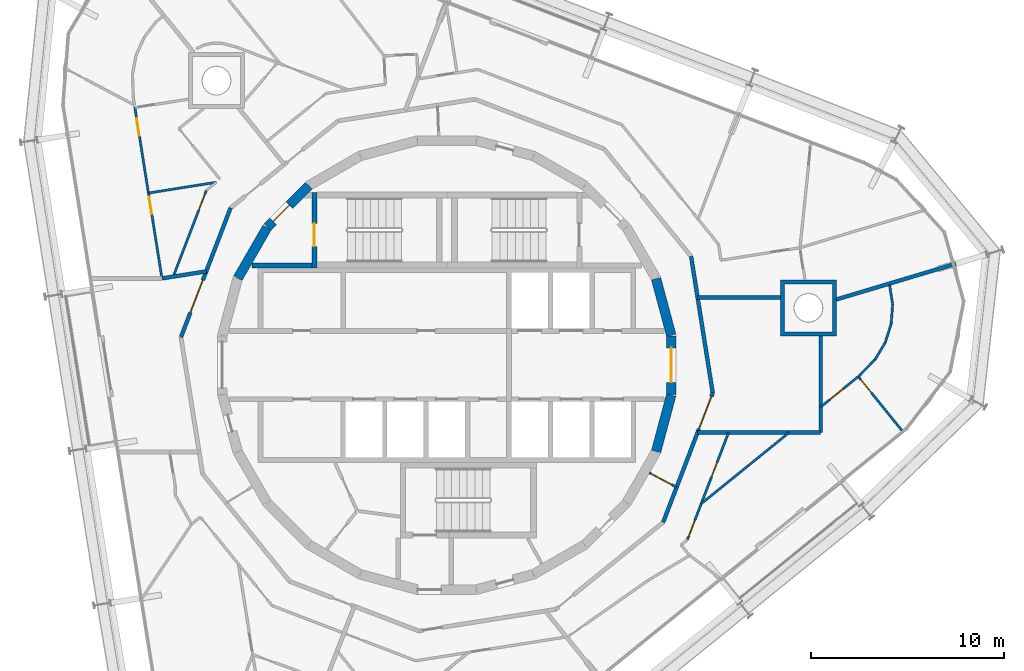
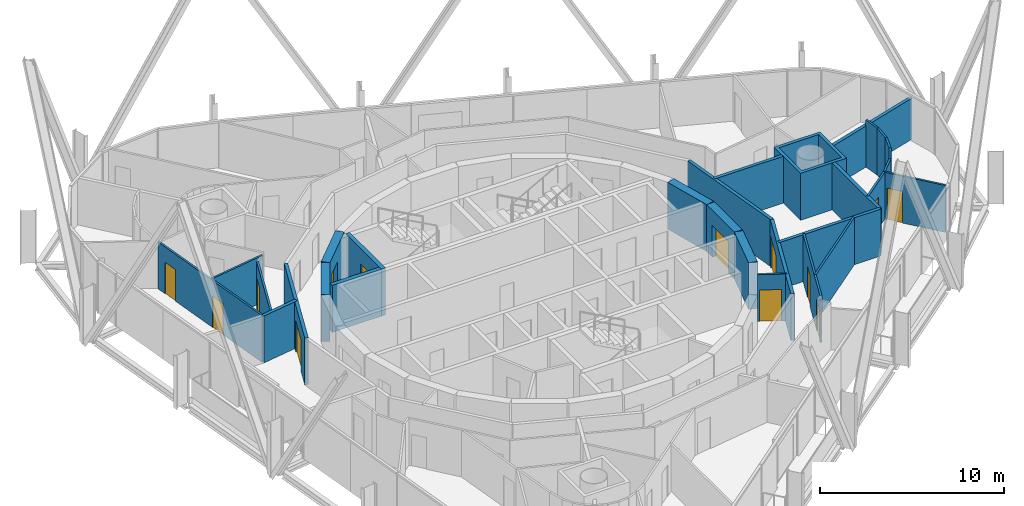
# One storey, part 14 of 18: 30 walls, 13 doors, 13 openings.
"""IFC4 building model written with IfcOpenShell, lengths in metres."""

from ifc_helpers import new_model, si_unit, direction, frame, frame_2d, origin, place, context, subcontext, project, spatial, polyline, rectangle, outline, extrude, material, layer, layer_set, type_object, element, fill, save


model = new_model("IFC4")

# Units and contexts
model_context = context("Model", 3, precision=1e-05, world=origin(), true_north=direction((0.0, 1.0)))
body_context = subcontext(model_context, "Body", "Model", "MODEL_VIEW")
ifc_project = project(units=[si_unit("LENGTHUNIT", "METRE"), si_unit("AREAUNIT", "SQUARE_METRE"), si_unit("VOLUMEUNIT", "CUBIC_METRE"), si_unit("PLANEANGLEUNIT", "RADIAN"), si_unit("MASSUNIT", "GRAM", prefix="KILO")], contexts=[model_context])

# Site, building, storey
site_placement = place(None, origin())
site = spatial("IfcSite", under=ifc_project, at=site_placement, CompositionType="ELEMENT")
building_placement = place(site_placement, origin())
building = spatial("IfcBuilding", under=site, at=building_placement, Name="Spindle Arch Residences", CompositionType="ELEMENT")
storey_placement = place(building_placement, frame((0.0, 0.0, 277.39990234375)))
storey = spatial("IfcBuildingStorey", under=building, at=storey_placement, Name="L71", CompositionType="ELEMENT", Elevation=277.39990234375)

# Wall
ifc_material_1 = material(Name="Concrete C50/60", Category="concrete")
ifc_layer_1 = layer(ifc_material_1, 0.5)
ifc_layer_set_1 = layer_set([ifc_layer_1], Name="Core outline wall 500")
wall_type_1 = type_object("IfcWallType", Name="Core outline wall 500", PredefinedType="SHEAR", material=ifc_layer_set_1)
wall_1_placement = place(storey_placement, frame((10.858154296875, -4.479248046875, 0.0), z_axis=(0.0, 0.0, 1.0), x_axis=(0.258734743916, 0.965948410781, 0.0)))
element("IfcWall", 1, at=wall_1_placement, inside=storey, type_object=wall_type_1, Name="Core outline wall 5", PredefinedType="SHEAR", context=body_context, shape_type="SweptSolid", body=[
    extrude(rectangle(XDim=3.03271484375, YDim=0.5, at=frame_2d((1.516357421875, 0.0))), origin(), (0.0, 0.0, 1.0), 3.1201171875),
])

# Wall, opening, door
wall_2_placement = place(storey_placement, frame((11.647216796875, -1.516357421875, 0.0), z_axis=(0.0, 0.0, 1.0), x_axis=(0.0, 1.0, 0.0)))
wall_2 = element("IfcWall", 2, at=wall_2_placement, inside=storey, type_object=wall_type_1, Name="Core outline wall 6", PredefinedType="SHEAR", context=body_context, shape_type="SweptSolid", body=[
    extrude(rectangle(XDim=3.03271484375, YDim=0.5, at=frame_2d((1.516357421875, 0.0))), origin(), (0.0, 0.0, 1.0), 3.1201171875),
])
opening_1_placement = place(wall_2_placement, frame((0.6162109375, 0.0, 0.0)))
opening_1 = element("IfcOpeningElement", 3, at=opening_1_placement, cuts=wall_2, Name="Opening R7B0-FE01", PredefinedType="OPENING", context=body_context, shape_type="SweptSolid", body=[
    extrude(rectangle(XDim=1.800048828125, YDim=2.10009765625, at=frame_2d((0.89990234375, 1.050048828125))), frame((0.0, 0.260009765625, 0.0), z_axis=(0.0, -1.0, 0.0), x_axis=(1.0, 0.0, 0.0)), (0.0, 0.0, 1.0), 0.52001953125),
])
ifc_material_2 = material(Name="Steel, fire-resisting door", Category="steel")
door_type_1 = type_object("IfcDoorType", Name="Fire-lift lobby door 1800x2100", OperationType="DOUBLE_DOOR_SINGLE_SWING", PredefinedType="DOOR", material=ifc_material_2)
door_1_placement = place(opening_1_placement, origin())
door_1 = element("IfcDoor", 4, at=door_1_placement, inside=storey, type_object=door_type_1, Name="Fire-lift lobby door R7B0-FE01", OperationType="DOUBLE_DOOR_SINGLE_SWING", OverallHeight=2.10009765625, OverallWidth=1.800048828125, PredefinedType="DOOR", context=body_context, shape_type="SweptSolid", body=[
    extrude(rectangle(XDim=1.800048828125, YDim=2.10009765625, at=frame_2d((0.89990234375, 1.050048828125))), frame((0.0, 0.02490234375, 0.0), z_axis=(0.0, -1.0, 0.0), x_axis=(1.0, 0.0, 0.0)), (0.0, 0.0, 1.0), 0.050048828125),
])
fill(opening_1, door_1)

# Wall
wall_3_placement = place(storey_placement, frame((11.642822265625, 1.5498046875, 0.0), z_axis=(0.0, 0.0, 1.0), x_axis=(-0.258734743916, 0.965948410781, 0.0)))
element("IfcWall", 5, at=wall_3_placement, inside=storey, type_object=wall_type_1, Name="Core outline wall 7", PredefinedType="SHEAR", context=body_context, shape_type="SweptSolid", body=[
    extrude(rectangle(XDim=3.03271484375, YDim=0.5, at=frame_2d((1.516357421875, 0.0))), origin(), (0.0, 0.0, 1.0), 3.1201171875),
])

# Wall, opening, door
wall_4_placement = place(storey_placement, frame((-7.163818359375, 9.30810546875, 0.0), z_axis=(0.0, 0.0, 1.0), x_axis=(-0.707106781187, -0.707106781187, 0.0)))
wall_4 = element("IfcWall", 6, at=wall_4_placement, inside=storey, type_object=wall_type_1, Name="Core outline wall 15", PredefinedType="SHEAR", context=body_context, shape_type="SweptSolid", body=[
    extrude(rectangle(XDim=3.032470703125, YDim=0.5, at=frame_2d((1.51611328125, 0.0))), origin(), (0.0, 0.0, 1.0), 3.1201171875),
])
opening_2_placement = place(wall_4_placement, frame((1.416259765625, 0.0, 0.0)))
opening_2 = element("IfcOpeningElement", 7, at=opening_2_placement, cuts=wall_4, Name="Opening R7B0-AD02", PredefinedType="OPENING", context=body_context, shape_type="SweptSolid", body=[
    extrude(rectangle(XDim=1.199951171875, YDim=2.10009765625, at=frame_2d((0.60009765625, 1.050048828125))), frame((0.0, 0.260009765625, 0.0), z_axis=(0.0, -1.0, 0.0), x_axis=(1.0, 0.0, 0.0)), (0.0, 0.0, 1.0), 0.52001953125),
])
ifc_material_3 = material(Name="Steel, fire-resisting door", Category="steel")
door_type_2 = type_object("IfcDoorType", Name="Stair airlock door 1200x2100", OperationType="SINGLE_SWING_LEFT", PredefinedType="DOOR", material=ifc_material_3)
door_2_placement = place(opening_2_placement, origin())
door_2 = element("IfcDoor", 8, at=door_2_placement, inside=storey, type_object=door_type_2, Name="Stair airlock door R7B0-AD02", OperationType="SINGLE_SWING_RIGHT", OverallHeight=2.10009765625, OverallWidth=1.199951171875, PredefinedType="DOOR", context=body_context, shape_type="SweptSolid", body=[
    extrude(rectangle(XDim=1.199951171875, YDim=2.10009765625, at=frame_2d((0.60009765625, 1.050048828125))), frame((0.0, 0.02490234375, 0.0), z_axis=(0.0, -1.0, 0.0), x_axis=(1.0, 0.0, 0.0)), (0.0, 0.0, 1.0), 0.050048828125),
])
fill(opening_2, door_2)

# Wall
wall_5_placement = place(storey_placement, frame((-9.32861328125, 7.13671875, 0.0), z_axis=(0.0, 0.0, 1.0), x_axis=(-0.500087131594, -0.865975092491, 0.0)))
element("IfcWall", 9, at=wall_5_placement, inside=storey, type_object=wall_type_1, Name="Core outline wall 16", PredefinedType="SHEAR", context=body_context, shape_type="SweptSolid", body=[
    extrude(rectangle(XDim=3.03271484375, YDim=0.5, at=frame_2d((1.516357421875, 0.0))), origin(), (0.0, 0.0, 1.0), 3.1201171875),
])

# Wall, opening, door
ifc_material_4 = material(Name="Plasterboard on steel studs", Category="steel")
ifc_layer_2 = layer(ifc_material_4, 0.1201171875)
ifc_layer_set_2 = layer_set([ifc_layer_2], Name="Corridor division wall 120")
wall_type_2 = type_object("IfcWallType", Name="Corridor division wall 120", PredefinedType="PARTITIONING", material=ifc_layer_set_2)
wall_6_placement = place(storey_placement, frame((10.510986328125, -5.5888671875, 0.0), z_axis=(0.0, 0.0, 1.0), x_axis=(0.882983002821, -0.469404960273, 0.0)))
wall_6 = element("IfcWall", 10, at=wall_6_placement, inside=storey, type_object=wall_type_2, Name="Corridor division wall R7B0-W002", PredefinedType="PARTITIONING", context=body_context, shape_type="SweptSolid", body=[
    extrude(rectangle(XDim=1.59619140625, YDim=0.1201171875, at=frame_2d((0.798095703125, 0.0))), origin(), (0.0, 0.0, 1.0), 3.1201171875),
])
opening_3_placement = place(wall_6_placement, frame((0.10009765625, 0.0, 0.0)))
opening_3 = element("IfcOpeningElement", 11, at=opening_3_placement, cuts=wall_6, Name="Opening R7B0-CD02", PredefinedType="OPENING", context=body_context, shape_type="SweptSolid", body=[
    extrude(rectangle(XDim=1.199951171875, YDim=2.10009765625, at=frame_2d((0.60009765625, 1.050048828125))), frame((0.0, 0.070068359375, 0.0), z_axis=(0.0, -1.0, 0.0), x_axis=(1.0, 0.0, 0.0)), (0.0, 0.0, 1.0), 0.14013671875),
])
ifc_material_5 = material(Name="Steel, fire-resisting door", Category="steel")
door_type_3 = type_object("IfcDoorType", Name="Corridor division door 1200x2100", OperationType="NOTDEFINED", PredefinedType="DOOR", material=ifc_material_5)
door_3_placement = place(opening_3_placement, origin())
door_3 = element("IfcDoor", 12, at=door_3_placement, inside=storey, type_object=door_type_3, Name="Corridor division door R7B0-CD02", OperationType="DOUBLE_DOOR_SINGLE_SWING", OverallHeight=2.10009765625, OverallWidth=1.199951171875, PredefinedType="DOOR", context=body_context, shape_type="SweptSolid", body=[
    extrude(rectangle(XDim=1.199951171875, YDim=2.10009765625, at=frame_2d((0.60009765625, 1.050048828125))), frame((0.0, 0.02490234375, 0.0), z_axis=(0.0, -1.0, 0.0), x_axis=(1.0, 0.0, 0.0)), (0.0, 0.0, 1.0), 0.050048828125),
])
fill(opening_3, door_3)

ifc_material_6 = material(Name="Calcium silicate block, plastered")
ifc_layer_3 = layer(ifc_material_6, 0.199951171875)
ifc_layer_set_3 = layer_set([ifc_layer_3], Name="Fire-lift lobby bay wall 200")
wall_type_3 = type_object("IfcWallType", Name="Fire-lift lobby bay wall 200", PredefinedType="STANDARD", material=ifc_layer_set_3)
wall_7_placement = place(storey_placement, frame((11.223388671875, -8.154296875, 0.0), z_axis=(0.0, 0.0, 1.0), x_axis=(0.358341090983, 0.93359073609, 0.0)))
wall_7 = element("IfcWall", 13, at=wall_7_placement, inside=storey, type_object=wall_type_3, Name="Fire-lift lobby bay wall R7B0-W004", PredefinedType="STANDARD", context=body_context, shape_type="SweptSolid", body=[
    extrude(rectangle(XDim=7.180908203125, YDim=0.199951171875, at=frame_2d((3.59033203125, 0.0))), origin(), (0.0, 0.0, 1.0), 3.1201171875),
])
opening_4_placement = place(wall_7_placement, frame((5.185302734375, 0.0, 0.0)))
opening_4 = element("IfcOpeningElement", 14, at=opening_4_placement, cuts=wall_7, Name="Opening R7B0-FB01", PredefinedType="OPENING", context=body_context, shape_type="SweptSolid", body=[
    extrude(rectangle(XDim=1.800048828125, YDim=2.10009765625, at=frame_2d((0.89990234375, 1.050048828125))), frame((0.0, 0.10986328125, 0.0), z_axis=(0.0, -1.0, 0.0), x_axis=(1.0, 0.0, 0.0)), (0.0, 0.0, 1.0), 0.219970703125),
])
ifc_material_7 = material(Name="Steel, fire-resisting door", Category="steel")
door_type_4 = type_object("IfcDoorType", Name="Fire-lift lobby bay door 1800x2100", OperationType="NOTDEFINED", PredefinedType="DOOR", material=ifc_material_7)
door_4_placement = place(opening_4_placement, origin())
door_4 = element("IfcDoor", 15, at=door_4_placement, inside=storey, type_object=door_type_4, Name="Fire-lift lobby bay door R7B0-FB01", OperationType="DOUBLE_DOOR_SINGLE_SWING", OverallHeight=2.10009765625, OverallWidth=1.800048828125, PredefinedType="DOOR", context=body_context, shape_type="SweptSolid", body=[
    extrude(rectangle(XDim=1.800048828125, YDim=2.10009765625, at=frame_2d((0.89990234375, 1.050048828125))), frame((0.0, 0.02490234375, 0.0), z_axis=(0.0, -1.0, 0.0), x_axis=(1.0, 0.0, 0.0)), (0.0, 0.0, 1.0), 0.050048828125),
])
fill(opening_4, door_4)

# Walls
wall_8_placement = place(storey_placement, frame((13.796630859375, -1.4501953125, 0.0), z_axis=(0.0, 0.0, 1.0), x_axis=(-0.156421704315, 0.987690361611, 0.0)))
element("IfcWall", 16, at=wall_8_placement, inside=storey, type_object=wall_type_3, Name="Fire-lift lobby bay wall R7B0-W005", PredefinedType="STANDARD", context=body_context, shape_type="SweptSolid", body=[
    extrude(rectangle(XDim=7.18115234375, YDim=0.199951171875, at=frame_2d((3.590576171875, 0.0))), origin(), (0.0, 0.0, 1.0), 3.1201171875),
])
wall_9_placement = place(storey_placement, frame((17.309326171875, 3.5, 0.0), z_axis=(0.0, 0.0, 1.0), x_axis=(-1.0, 0.0, 0.0)))
element("IfcWall", 17, at=wall_9_placement, inside=storey, type_object=wall_type_3, Name="Fire-lift lobby bay wall R7B0-W019", PredefinedType="STANDARD", context=body_context, shape_type="SweptSolid", body=[
    extrude(rectangle(XDim=4.296630859375, YDim=0.199951171875, at=frame_2d((2.1484375, 0.0))), origin(), (0.0, 0.0, 1.0), 3.1201171875),
])
wall_10_placement = place(storey_placement, frame((13.009765625, -3.5, 0.0), z_axis=(0.0, 0.0, 1.0), x_axis=(1.0, 0.0, 0.0)))
element("IfcWall", 18, at=wall_10_placement, inside=storey, type_object=wall_type_3, Name="Fire-lift lobby bay wall R7B0-W020", PredefinedType="STANDARD", context=body_context, shape_type="SweptSolid", body=[
    extrude(rectangle(XDim=4.75, YDim=0.199951171875, at=frame_2d((2.375, 0.0))), origin(), (0.0, 0.0, 1.0), 3.1201171875),
])
wall_11_placement = place(storey_placement, frame((19.39990234375, -3.5, 0.0), z_axis=(0.0, 0.0, 1.0), x_axis=(0.0, 1.0, 0.0)))
element("IfcWall", 19, at=wall_11_placement, inside=storey, type_object=wall_type_3, Name="Fire-lift lobby bay wall R7B0-W021", PredefinedType="STANDARD", context=body_context, shape_type="SweptSolid", body=[
    extrude(rectangle(XDim=5.021240234375, YDim=0.199951171875, at=frame_2d((2.5107421875, 0.0))), origin(), (0.0, 0.0, 1.0), 3.1201171875),
])
wall_12_placement = place(storey_placement, frame((17.759765625, -3.5, 0.0), z_axis=(0.0, 0.0, 1.0), x_axis=(1.0, 0.0, 0.0)))
element("IfcWall", 20, at=wall_12_placement, inside=storey, type_object=wall_type_3, Name="Fire-lift lobby bay wall R7B0-W022", PredefinedType="STANDARD", context=body_context, shape_type="SweptSolid", body=[
    extrude(rectangle(XDim=1.64013671875, YDim=0.199951171875, at=frame_2d((0.820068359375, 0.0))), origin(), (0.0, 0.0, 1.0), 3.1201171875),
])

# Wall, opening, door
ifc_material_8 = material(Name="Plasterboard on steel studs", Category="steel")
ifc_layer_4 = layer(ifc_material_8, 0.1201171875)
ifc_layer_set_4 = layer_set([ifc_layer_4], Name="Flat partition 120")
wall_type_4 = type_object("IfcWallType", Name="Flat partition 120", PredefinedType="PARTITIONING", material=ifc_layer_set_4)
wall_13_placement = place(storey_placement, frame((-12.4794921875, 9.06689453125, 0.0), z_axis=(0.0, 0.0, 1.0), x_axis=(-0.358402229057, -0.933567267104, 0.0)))
wall_13 = element("IfcWall", 21, at=wall_13_placement, inside=storey, type_object=wall_type_4, Name="Flat partition R7B0-W057", PredefinedType="PARTITIONING", context=body_context, shape_type="SweptSolid", body=[
    extrude(rectangle(XDim=4.79345703125, YDim=0.1201171875, at=frame_2d((2.396728515625, 0.0))), origin(), (0.0, 0.0, 1.0), 3.1201171875),
])
opening_5_placement = place(wall_13_placement, frame((0.199951171875, 0.0, 0.0)))
opening_5 = element("IfcOpeningElement", 22, at=opening_5_placement, cuts=wall_13, Name="Opening R7B0-ID11", PredefinedType="OPENING", context=body_context, shape_type="SweptSolid", body=[
    extrude(rectangle(XDim=0.89990234375, YDim=2.10009765625, at=frame_2d((0.449951171875, 1.050048828125))), frame((0.0, 0.070068359375, 0.0), z_axis=(0.0, -1.0, 0.0), x_axis=(1.0, 0.0, 0.0)), (0.0, 0.0, 1.0), 0.14013671875),
])
ifc_material_9 = material(Name="Timber door set", Category="wood")
door_type_5 = type_object("IfcDoorType", Name="Room door 900x2100", OperationType="NOTDEFINED", PredefinedType="DOOR", material=ifc_material_9)
door_5_placement = place(opening_5_placement, origin())
door_5 = element("IfcDoor", 23, at=door_5_placement, inside=storey, type_object=door_type_5, Name="Room door R7B0-ID11", OperationType="SINGLE_SWING_LEFT", OverallHeight=2.10009765625, OverallWidth=0.89990234375, PredefinedType="DOOR", context=body_context, shape_type="SweptSolid", body=[
    extrude(rectangle(XDim=0.89990234375, YDim=2.10009765625, at=frame_2d((0.449951171875, 1.050048828125))), frame((0.0, 0.02490234375, 0.0), z_axis=(0.0, -1.0, 0.0), x_axis=(1.0, 0.0, 0.0)), (0.0, 0.0, 1.0), 0.050048828125),
])
fill(opening_5, door_5)

# Wall, openings, doors
wall_14_placement = place(storey_placement, frame((-16.19189453125, 13.39892578125, 0.0), z_axis=(0.0, 0.0, 1.0), x_axis=(0.156405047803, -0.987692999379, 0.0)))
wall_14 = element("IfcWall", 24, at=wall_14_placement, inside=storey, type_object=wall_type_4, Name="Flat partition R7B0-W066", PredefinedType="PARTITIONING", context=body_context, shape_type="SweptSolid", body=[
    extrude(rectangle(XDim=9.009765625, YDim=0.1201171875, at=frame_2d((4.5048828125, 0.0))), origin(), (0.0, 0.0, 1.0), 3.1201171875),
])
opening_6_placement = place(wall_14_placement, frame((0.60009765625, 0.0, 0.0)))
opening_6 = element("IfcOpeningElement", 25, at=opening_6_placement, cuts=wall_14, Name="Opening R7B0-ID12", PredefinedType="OPENING", context=body_context, shape_type="SweptSolid", body=[
    extrude(rectangle(XDim=0.89990234375, YDim=2.10009765625, at=frame_2d((0.449951171875, 1.050048828125))), frame((0.0, 0.070068359375, 0.0), z_axis=(0.0, -1.0, 0.0), x_axis=(1.0, 0.0, 0.0)), (0.0, 0.0, 1.0), 0.14013671875),
])
opening_7_placement = place(wall_14_placement, frame((4.725341796875, 0.0, 0.0)))
opening_7 = element("IfcOpeningElement", 26, at=opening_7_placement, cuts=wall_14, Name="Opening R7B0-ID14", PredefinedType="OPENING", context=body_context, shape_type="SweptSolid", body=[
    extrude(rectangle(XDim=0.89990234375, YDim=2.10009765625, at=frame_2d((0.449951171875, 1.050048828125))), frame((0.0, 0.070068359375, 0.0), z_axis=(0.0, -1.0, 0.0), x_axis=(1.0, 0.0, 0.0)), (0.0, 0.0, 1.0), 0.14013671875),
])
door_6_placement = place(opening_6_placement, origin())
door_6 = element("IfcDoor", 27, at=door_6_placement, inside=storey, type_object=door_type_5, Name="Room door R7B0-ID12", OperationType="SINGLE_SWING_LEFT", OverallHeight=2.10009765625, OverallWidth=0.89990234375, PredefinedType="DOOR", context=body_context, shape_type="SweptSolid", body=[
    extrude(rectangle(XDim=0.89990234375, YDim=2.10009765625, at=frame_2d((0.449951171875, 1.050048828125))), frame((0.0, 0.02490234375, 0.0), z_axis=(0.0, -1.0, 0.0), x_axis=(1.0, 0.0, 0.0)), (0.0, 0.0, 1.0), 0.050048828125),
])
fill(opening_6, door_6)
door_7_placement = place(opening_7_placement, origin())
door_7 = element("IfcDoor", 28, at=door_7_placement, inside=storey, type_object=door_type_5, Name="Room door R7B0-ID14", OperationType="SINGLE_SWING_RIGHT", OverallHeight=2.10009765625, OverallWidth=0.89990234375, PredefinedType="DOOR", context=body_context, shape_type="SweptSolid", body=[
    extrude(rectangle(XDim=0.89990234375, YDim=2.10009765625, at=frame_2d((0.449951171875, 1.050048828125))), frame((0.0, 0.02490234375, 0.0), z_axis=(0.0, -1.0, 0.0), x_axis=(1.0, 0.0, 0.0)), (0.0, 0.0, 1.0), 0.050048828125),
])
fill(opening_7, door_7)

# Wall
wall_15_placement = place(storey_placement, frame((-15.484130859375, 8.92919921875, 0.0), z_axis=(0.0, 0.0, 1.0), x_axis=(0.987689619983, 0.156426387092, 0.0)))
element("IfcWall", 29, at=wall_15_placement, inside=storey, type_object=wall_type_4, Name="Flat partition R7B0-W067", PredefinedType="PARTITIONING", context=body_context, shape_type="SweptSolid", body=[
    extrude(rectangle(XDim=3.56787109375, YDim=0.1201171875, at=frame_2d((1.783935546875, 0.0))), origin(), (0.0, 0.0, 1.0), 3.1201171875),
])

# Wall, openings, doors
wall_16_placement = place(storey_placement, frame((12.4794921875, -9.06689453125, 0.0), z_axis=(0.0, 0.0, 1.0), x_axis=(0.358372669661, 0.933578614601, 0.0)))
wall_16 = element("IfcWall", 30, at=wall_16_placement, inside=storey, type_object=wall_type_4, Name="Flat partition R7B0-W096", PredefinedType="PARTITIONING", context=body_context, shape_type="SweptSolid", body=[
    extrude(rectangle(XDim=5.962890625, YDim=0.1201171875, at=frame_2d((2.9814453125, 0.0))), origin(), (0.0, 0.0, 1.0), 3.1201171875),
])
opening_8_placement = place(wall_16_placement, frame((0.199951171875, 0.0, 0.0)))
opening_8 = element("IfcOpeningElement", 31, at=opening_8_placement, cuts=wall_16, Name="Opening R7B0-ID26", PredefinedType="OPENING", context=body_context, shape_type="SweptSolid", body=[
    extrude(rectangle(XDim=0.89990234375, YDim=2.10009765625, at=frame_2d((0.449951171875, 1.050048828125))), frame((0.0, 0.070068359375, 0.0), z_axis=(0.0, -1.0, 0.0), x_axis=(1.0, 0.0, 0.0)), (0.0, 0.0, 1.0), 0.14013671875),
])
opening_9_placement = place(wall_16_placement, frame((3.506591796875, 0.0, 0.0)))
opening_9 = element("IfcOpeningElement", 32, at=opening_9_placement, cuts=wall_16, Name="Opening R7B0-BD06", PredefinedType="OPENING", context=body_context, shape_type="SweptSolid", body=[
    extrude(rectangle(XDim=0.800048828125, YDim=2.10009765625, at=frame_2d((0.39990234375, 1.050048828125))), frame((0.0, 0.070068359375, 0.0), z_axis=(0.0, -1.0, 0.0), x_axis=(1.0, 0.0, 0.0)), (0.0, 0.0, 1.0), 0.14013671875),
])
ifc_material_10 = material(Name="Timber door set", Category="wood")
door_type_6 = type_object("IfcDoorType", Name="Bathroom door 800x2100", OperationType="NOTDEFINED", PredefinedType="DOOR", material=ifc_material_10)
door_8_placement = place(opening_9_placement, origin())
door_8 = element("IfcDoor", 33, at=door_8_placement, inside=storey, type_object=door_type_6, Name="Bathroom door R7B0-BD06", OperationType="SINGLE_SWING_RIGHT", OverallHeight=2.10009765625, OverallWidth=0.800048828125, PredefinedType="DOOR", context=body_context, shape_type="SweptSolid", body=[
    extrude(rectangle(XDim=0.800048828125, YDim=2.10009765625, at=frame_2d((0.39990234375, 1.050048828125))), frame((0.0, 0.02490234375, 0.0), z_axis=(0.0, -1.0, 0.0), x_axis=(1.0, 0.0, 0.0)), (0.0, 0.0, 1.0), 0.050048828125),
])
fill(opening_9, door_8)
door_9_placement = place(opening_8_placement, origin())
door_9 = element("IfcDoor", 34, at=door_9_placement, inside=storey, type_object=door_type_5, Name="Room door R7B0-ID26", OperationType="SINGLE_SWING_RIGHT", OverallHeight=2.10009765625, OverallWidth=0.89990234375, PredefinedType="DOOR", context=body_context, shape_type="SweptSolid", body=[
    extrude(rectangle(XDim=0.89990234375, YDim=2.10009765625, at=frame_2d((0.449951171875, 1.050048828125))), frame((0.0, 0.02490234375, 0.0), z_axis=(0.0, -1.0, 0.0), x_axis=(1.0, 0.0, 0.0)), (0.0, 0.0, 1.0), 0.050048828125),
])
fill(opening_8, door_9)

# Walls
wall_17_placement = place(storey_placement, frame((22.972412109375, 4.15283203125, 0.0), z_axis=(0.0, 0.0, 1.0), x_axis=(0.156209385929, -0.987723963336, 0.0)))
element("IfcWall", 35, at=wall_17_placement, inside=storey, type_object=wall_type_4, Name="Flat partition R7B0-W097", PredefinedType="PARTITIONING", context=body_context, shape_type="SweptSolid", body=[
    extrude(rectangle(XDim=1.015869140625, YDim=0.1201171875, at=frame_2d((0.5078125, 0.0))), origin(), (0.0, 0.0, 1.0), 3.1201171875),
])
wall_18_placement = place(storey_placement, frame((23.131103515625, 3.1494140625, 0.0), z_axis=(0.0, 0.0, 1.0), x_axis=(-0.075446997935, -0.99714981347, 0.0)))
element("IfcWall", 36, at=wall_18_placement, inside=storey, type_object=wall_type_4, Name="Flat partition R7B0-W098", PredefinedType="PARTITIONING", context=body_context, shape_type="SweptSolid", body=[
    extrude(rectangle(XDim=1.01611328125, YDim=0.1201171875, at=frame_2d((0.508056640625, 0.0))), origin(), (0.0, 0.0, 1.0), 3.1201171875),
])
wall_19_placement = place(storey_placement, frame((23.054443359375, 2.13623046875, 0.0), z_axis=(0.0, 0.0, 1.0), x_axis=(-0.303511129679, -0.952827893253, 0.0)))
element("IfcWall", 37, at=wall_19_placement, inside=storey, type_object=wall_type_4, Name="Flat partition R7B0-W099", PredefinedType="PARTITIONING", context=body_context, shape_type="SweptSolid", body=[
    extrude(rectangle(XDim=1.015869140625, YDim=0.1201171875, at=frame_2d((0.5078125, 0.0))), origin(), (0.0, 0.0, 1.0), 3.1201171875),
])
wall_20_placement = place(storey_placement, frame((22.74609375, 1.168212890625, 0.0), z_axis=(0.0, 0.0, 1.0), x_axis=(-0.515096534995, -0.857132171626, 0.0)))
element("IfcWall", 38, at=wall_20_placement, inside=storey, type_object=wall_type_4, Name="Flat partition R7B0-W100", PredefinedType="PARTITIONING", context=body_context, shape_type="SweptSolid", body=[
    extrude(rectangle(XDim=1.015625, YDim=0.1201171875, at=frame_2d((0.5078125, 0.0))), origin(), (0.0, 0.0, 1.0), 3.1201171875),
])
wall_21_placement = place(storey_placement, frame((22.222900390625, 0.297607421875, 0.0), z_axis=(0.0, 0.0, 1.0), x_axis=(-0.69880109182, -0.715316037896, 0.0)))
element("IfcWall", 39, at=wall_21_placement, inside=storey, type_object=wall_type_4, Name="Flat partition R7B0-W101", PredefinedType="PARTITIONING", context=body_context, shape_type="SweptSolid", body=[
    extrude(rectangle(XDim=1.22705078125, YDim=0.1201171875, at=frame_2d((0.613525390625, 0.0))), origin(), (0.0, 0.0, 1.0), 3.1201171875),
])

# Wall, opening, door
wall_22_placement = place(storey_placement, frame((21.346923828125, -0.59521484375, 0.0), z_axis=(0.0, 0.0, 1.0), x_axis=(0.62934843781, -0.7771232488, 0.0)))
wall_22 = element("IfcWall", 40, at=wall_22_placement, inside=storey, type_object=wall_type_4, Name="Flat partition R7B0-W102", PredefinedType="PARTITIONING", context=body_context, shape_type="SweptSolid", body=[
    extrude(rectangle(XDim=3.599853515625, YDim=0.1201171875, at=frame_2d((1.7998046875, 0.0))), origin(), (0.0, 0.0, 1.0), 3.1201171875),
])
opening_10_placement = place(wall_22_placement, frame((0.199951171875, 0.0, 0.0)))
opening_10 = element("IfcOpeningElement", 41, at=opening_10_placement, cuts=wall_22, Name="Opening R7B0-ID27", PredefinedType="OPENING", context=body_context, shape_type="SweptSolid", body=[
    extrude(rectangle(XDim=0.89990234375, YDim=2.10009765625, at=frame_2d((0.449951171875, 1.050048828125))), frame((0.0, 0.070068359375, 0.0), z_axis=(0.0, -1.0, 0.0), x_axis=(1.0, 0.0, 0.0)), (0.0, 0.0, 1.0), 0.14013671875),
])
door_10_placement = place(opening_10_placement, origin())
door_10 = element("IfcDoor", 42, at=door_10_placement, inside=storey, type_object=door_type_5, Name="Room door R7B0-ID27", OperationType="SINGLE_SWING_RIGHT", OverallHeight=2.10009765625, OverallWidth=0.89990234375, PredefinedType="DOOR", context=body_context, shape_type="SweptSolid", body=[
    extrude(rectangle(XDim=0.89990234375, YDim=2.10009765625, at=frame_2d((0.449951171875, 1.050048828125))), frame((0.0, 0.02490234375, 0.0), z_axis=(0.0, -1.0, 0.0), x_axis=(1.0, 0.0, 0.0)), (0.0, 0.0, 1.0), 0.050048828125),
])
fill(opening_10, door_10)

wall_23_placement = place(storey_placement, frame((19.39990234375, -2.171875, 0.0), z_axis=(0.0, 0.0, 1.0), x_axis=(0.777147279935, 0.629318762862, 0.0)))
wall_23 = element("IfcWall", 43, at=wall_23_placement, inside=storey, type_object=wall_type_4, Name="Flat partition R7B0-W103", PredefinedType="PARTITIONING", context=body_context, shape_type="SweptSolid", body=[
    extrude(rectangle(XDim=2.50537109375, YDim=0.1201171875, at=frame_2d((1.252685546875, 0.0))), origin(), (0.0, 0.0, 1.0), 3.1201171875),
])
opening_11_placement = place(wall_23_placement, frame((0.60009765625, 0.0, 0.0)))
opening_11 = element("IfcOpeningElement", 44, at=opening_11_placement, cuts=wall_23, Name="Opening R7B0-ID28", PredefinedType="OPENING", context=body_context, shape_type="SweptSolid", body=[
    extrude(rectangle(XDim=0.89990234375, YDim=2.10009765625, at=frame_2d((0.449951171875, 1.050048828125))), frame((0.0, 0.070068359375, 0.0), z_axis=(0.0, -1.0, 0.0), x_axis=(1.0, 0.0, 0.0)), (0.0, 0.0, 1.0), 0.14013671875),
])
door_11_placement = place(opening_11_placement, origin())
door_11 = element("IfcDoor", 45, at=door_11_placement, inside=storey, type_object=door_type_5, Name="Room door R7B0-ID28", OperationType="SINGLE_SWING_LEFT", OverallHeight=2.10009765625, OverallWidth=0.89990234375, PredefinedType="DOOR", context=body_context, shape_type="SweptSolid", body=[
    extrude(rectangle(XDim=0.89990234375, YDim=2.10009765625, at=frame_2d((0.449951171875, 1.050048828125))), frame((0.0, 0.02490234375, 0.0), z_axis=(0.0, -1.0, 0.0), x_axis=(1.0, 0.0, 0.0)), (0.0, 0.0, 1.0), 0.050048828125),
])
fill(opening_11, door_11)

# Walls
wall_24_placement = place(storey_placement, frame((17.759765625, -3.5, 0.0), z_axis=(0.0, 0.0, 1.0), x_axis=(-0.777133455716, -0.62933583404, 0.0)))
element("IfcWall", 46, at=wall_24_placement, inside=storey, type_object=wall_type_4, Name="Flat partition R7B0-W105", PredefinedType="PARTITIONING", context=body_context, shape_type="SweptSolid", body=[
    extrude(rectangle(XDim=5.869140625, YDim=0.1201171875, at=frame_2d((2.9345703125, 0.0))), origin(), (0.0, 0.0, 1.0), 3.1201171875),
])
ifc_material_11 = material(Name="Calcium silicate block, plastered")
ifc_layer_5 = layer(ifc_material_11, 0.199951171875)
ifc_layer_set_5 = layer_set([ifc_layer_5], Name="Flat party wall 200 under beam 2730")
wall_type_5 = type_object("IfcWallType", Name="Flat party wall 200 under beam 2730", PredefinedType="STANDARD", material=ifc_layer_set_5)
wall_25_placement = place(storey_placement, frame((20.20947265625, 3.4052734375, 0.0), z_axis=(0.0, 0.0, 1.0), x_axis=(0.957991224208, 0.286797514529, 0.0)))
element("IfcWall", 47, at=wall_25_placement, inside=storey, type_object=wall_type_5, Name="Flat party wall R7B0-W024", PredefinedType="STANDARD", context=body_context, shape_type="SweptSolid", body=[
    extrude(rectangle(XDim=6.471435546875, YDim=0.199951171875, at=frame_2d((3.23583984375, 0.0))), origin(), (0.0, 0.0, 1.0), 2.72998046875),
])

# Wall, opening, door
ifc_material_12 = material(Name="Calcium silicate block, plastered")
ifc_layer_6 = layer(ifc_material_12, 0.199951171875)
ifc_layer_set_6 = layer_set([ifc_layer_6], Name="Lift lobby bay wall 200")
wall_type_6 = type_object("IfcWallType", Name="Lift lobby bay wall 200", PredefinedType="STANDARD", material=ifc_layer_set_6)
wall_26_placement = place(storey_placement, frame((-11.223388671875, 8.154296875, 0.0), z_axis=(0.0, 0.0, 1.0), x_axis=(-0.358341090983, -0.93359073609, 0.0)))
wall_26 = element("IfcWall", 48, at=wall_26_placement, inside=storey, type_object=wall_type_6, Name="Lift lobby bay wall R7B0-W009", PredefinedType="STANDARD", context=body_context, shape_type="SweptSolid", body=[
    extrude(rectangle(XDim=7.180908203125, YDim=0.199951171875, at=frame_2d((3.59033203125, 0.0))), origin(), (0.0, 0.0, 1.0), 3.1201171875),
])
opening_12_placement = place(wall_26_placement, frame((4.01416015625, 0.0, 0.0)))
opening_12 = element("IfcOpeningElement", 49, at=opening_12_placement, cuts=wall_26, Name="Opening R7B0-LB01", PredefinedType="OPENING", context=body_context, shape_type="SweptSolid", body=[
    extrude(rectangle(XDim=1.800048828125, YDim=2.10009765625, at=frame_2d((0.89990234375, 1.050048828125))), frame((0.0, 0.10986328125, 0.0), z_axis=(0.0, -1.0, 0.0), x_axis=(1.0, 0.0, 0.0)), (0.0, 0.0, 1.0), 0.219970703125),
])
ifc_material_13 = material(Name="Steel, fire-resisting door", Category="steel")
door_type_7 = type_object("IfcDoorType", Name="Lift lobby bay door 1800x2100", OperationType="NOTDEFINED", PredefinedType="DOOR", material=ifc_material_13)
door_12_placement = place(opening_12_placement, origin())
door_12 = element("IfcDoor", 50, at=door_12_placement, inside=storey, type_object=door_type_7, Name="Lift lobby bay door R7B0-LB01", OperationType="DOUBLE_DOOR_SINGLE_SWING", OverallHeight=2.10009765625, OverallWidth=1.800048828125, PredefinedType="DOOR", context=body_context, shape_type="SweptSolid", body=[
    extrude(rectangle(XDim=1.800048828125, YDim=2.10009765625, at=frame_2d((0.89990234375, 1.050048828125))), frame((0.0, 0.02490234375, 0.0), z_axis=(0.0, -1.0, 0.0), x_axis=(1.0, 0.0, 0.0)), (0.0, 0.0, 1.0), 0.050048828125),
])
fill(opening_12, door_12)

# Walls
wall_27_placement = place(storey_placement, frame((-12.48681640625, 4.86279296875, 0.0), z_axis=(0.0, 0.0, 1.0), x_axis=(-0.98769031179, -0.156422018898, 0.0)))
element("IfcWall", 51, at=wall_27_placement, inside=storey, type_object=wall_type_6, Name="Lift lobby bay wall R7B0-W016", PredefinedType="STANDARD", context=body_context, shape_type="SweptSolid", body=[
    extrude(rectangle(XDim=2.3193359375, YDim=0.199951171875, at=frame_2d((1.15966796875, 0.0))), origin(), (0.0, 0.0, 1.0), 3.1201171875),
])
ifc_material_14 = material(Name="Calcium silicate block, plastered")
ifc_layer_7 = layer(ifc_material_14, 0.199951171875)
ifc_layer_set_7 = layer_set([ifc_layer_7], Name="Mega-column casing wall 200")
wall_type_7 = type_object("IfcWallType", Name="Mega-column casing wall 200", PredefinedType="STANDARD", material=ifc_layer_set_7)
wall_28_placement = place(storey_placement, origin())
element("IfcWall", 52, at=wall_28_placement, inside=storey, type_object=wall_type_7, Name="Mega-column casing wall R7B0-WC01", PredefinedType="STANDARD", context=body_context, shape_type="SweptSolid", body=[
    extrude(outline(polyline([(20.20947265625, 4.421142578125), (20.20947265625, 1.521240234375), (17.309326171875, 1.521240234375), (17.309326171875, 4.421142578125), (20.20947265625, 4.421142578125)]), holes=[polyline([(17.509521484375, 1.72119140625), (20.009521484375, 1.72119140625), (20.009521484375, 4.22119140625), (17.509521484375, 4.22119140625), (17.509521484375, 1.72119140625)])]), origin(), (0.0, 0.0, 1.0), 3.1201171875),
])
ifc_material_15 = material(Name="Concrete C40/50", Category="concrete")
ifc_layer_8 = layer(ifc_material_15, 0.25)
ifc_layer_set_8 = layer_set([ifc_layer_8], Name="Stair airlock wall 250")
wall_type_8 = type_object("IfcWallType", Name="Stair airlock wall 250", PredefinedType="SHEAR", material=ifc_layer_set_8)
wall_29_placement = place(storey_placement, frame((-7.0, 5.175048828125, 0.0), z_axis=(0.0, 0.0, 1.0), x_axis=(-1.0, 0.0, 0.0)))
element("IfcWall", 53, at=wall_29_placement, inside=storey, type_object=wall_type_8, Name="Stair ST-2 airlock wall S", PredefinedType="SHEAR", context=body_context, shape_type="SweptSolid", body=[
    extrude(rectangle(XDim=3.10009765625, YDim=0.25, at=frame_2d((1.550048828125, 0.0))), origin(), (0.0, 0.0, 1.0), 3.1201171875),
])

# Wall, opening, door
ifc_material_16 = material(Name="Concrete C50/60", Category="concrete")
ifc_layer_9 = layer(ifc_material_16, 0.25)
ifc_layer_set_9 = layer_set([ifc_layer_9], Name="Stair enclosure wall 250")
wall_type_9 = type_object("IfcWallType", Name="Stair enclosure wall 250", PredefinedType="SHEAR", material=ifc_layer_set_9)
wall_30_placement = place(storey_placement, frame((-6.875, 8.969970703125, 0.0), z_axis=(0.0, 0.0, 1.0), x_axis=(0.0, -1.0, 0.0)))
wall_30 = element("IfcWall", 54, at=wall_30_placement, inside=storey, type_object=wall_type_9, Name="Stair ST-2 door wall", PredefinedType="SHEAR", context=body_context, shape_type="SweptSolid", body=[
    extrude(rectangle(XDim=3.919921875, YDim=0.25, at=frame_2d((1.9599609375, 0.0))), origin(), (0.0, 0.0, 1.0), 3.1201171875),
])
opening_13_placement = place(wall_30_placement, frame((1.610107421875, 0.0, 0.0)))
opening_13 = element("IfcOpeningElement", 55, at=opening_13_placement, cuts=wall_30, Name="Opening R7B0-SD02", PredefinedType="OPENING", context=body_context, shape_type="SweptSolid", body=[
    extrude(rectangle(XDim=1.199951171875, YDim=2.10009765625, at=frame_2d((0.60009765625, 1.050048828125))), frame((0.0, 0.135009765625, 0.0), z_axis=(0.0, -1.0, 0.0), x_axis=(1.0, 0.0, 0.0)), (0.0, 0.0, 1.0), 0.27001953125),
])
ifc_material_17 = material(Name="Steel, fire-resisting door", Category="steel")
door_type_8 = type_object("IfcDoorType", Name="Stair door 1200x2100", OperationType="SINGLE_SWING_RIGHT", PredefinedType="DOOR", material=ifc_material_17)
door_13_placement = place(opening_13_placement, origin())
door_13 = element("IfcDoor", 56, at=door_13_placement, inside=storey, type_object=door_type_8, Name="Stair door R7B0-SD02", OperationType="SINGLE_SWING_LEFT", OverallHeight=2.10009765625, OverallWidth=1.199951171875, PredefinedType="DOOR", context=body_context, shape_type="SweptSolid", body=[
    extrude(rectangle(XDim=1.199951171875, YDim=2.10009765625, at=frame_2d((0.60009765625, 1.050048828125))), frame((0.0, 0.02490234375, 0.0), z_axis=(0.0, -1.0, 0.0), x_axis=(1.0, 0.0, 0.0)), (0.0, 0.0, 1.0), 0.050048828125),
])
fill(opening_13, door_13)

save(model, "model.ifc")
